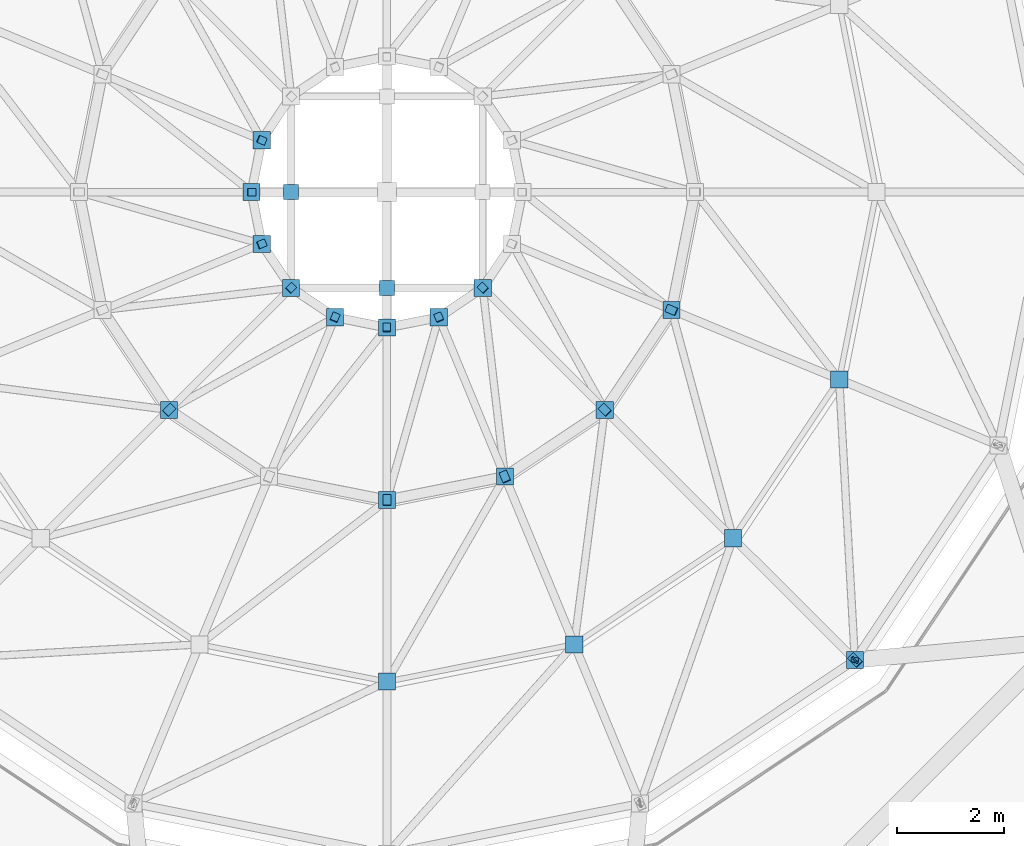
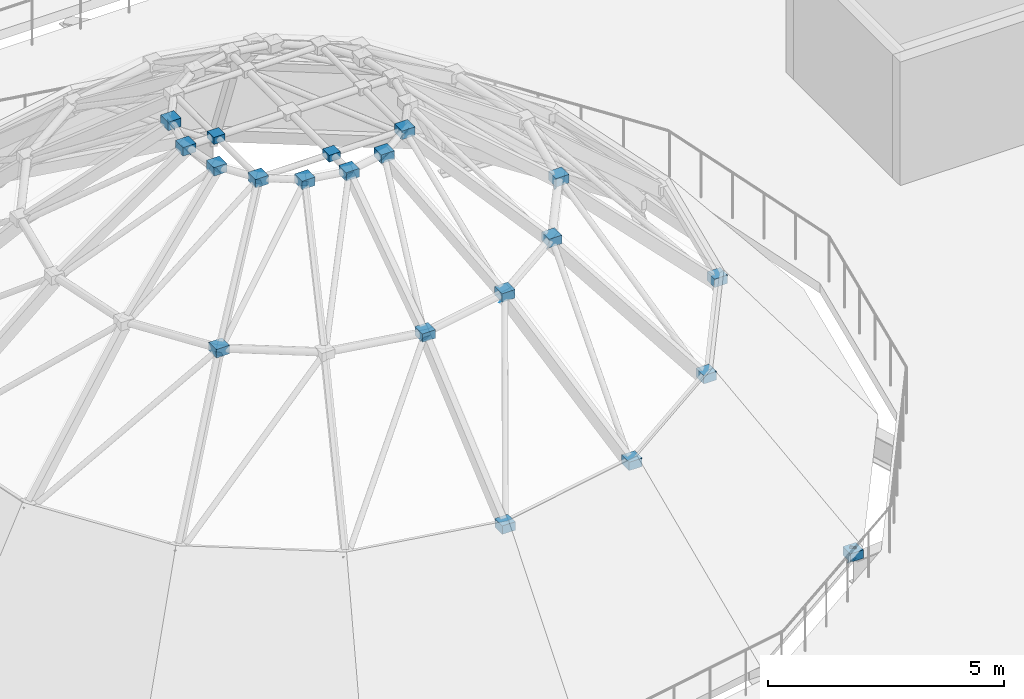
# One storey, part 28 of 40: 37 discrete accessories.
"""IFC4 building model written with IfcOpenShell, lengths in metres."""

from ifc_helpers import new_model, si_unit, direction, frame, origin, origin_2d, place, context, subcontext, project, spatial, rectangle, circle, extrude, material, type_object, element, save


model = new_model("IFC4")

# Units and contexts
model_context = context("Model", 3, precision=1e-05, world=origin(), true_north=direction((0.0, 1.0)))
body_context = subcontext(model_context, "Body", "Model", "MODEL_VIEW")
ifc_project = project(units=[si_unit("LENGTHUNIT", "METRE"), si_unit("AREAUNIT", "SQUARE_METRE"), si_unit("VOLUMEUNIT", "CUBIC_METRE"), si_unit("PLANEANGLEUNIT", "RADIAN"), si_unit("MASSUNIT", "GRAM", prefix="KILO"), si_unit("THERMODYNAMICTEMPERATUREUNIT", "KELVIN")], contexts=[model_context])

# Site, building, storey
site_placement = place(None, origin())
site = spatial("IfcSite", under=ifc_project, at=site_placement, CompositionType="ELEMENT")
building_placement = place(site_placement, origin())
building = spatial("IfcBuilding", under=site, at=building_placement, Name="Lustrewick Department Store", CompositionType="ELEMENT")
storey_placement = place(building_placement, frame((0.0, 0.0, 31.800048828125)))
storey = spatial("IfcBuildingStorey", under=building, at=storey_placement, Name="L07", CompositionType="ELEMENT", Elevation=31.800048828125)

# Discrete accessories
ifc_material = material(Name="Structural steel Q355C", Category="steel")
discrete_accessory_type_1 = type_object("IfcDiscreteAccessoryType", Name="GUS-NODE", PredefinedType="BRACKET", material=ifc_material)
for number, where, z_axis, x_axis, name in (
    (1, (27.60791015625, 67.199951171875, 8.9052734375), (0.0, 0.0, 1.0), (1.0, 0.0, 0.0), "V1 Dome Oculus X-Brace Crossing Gusset Node 2"),
    (2, (29.39990234375, 65.40771484375, 8.9052734375), (0.0, 0.0, 1.0), (1.0, 0.0, 0.0), "V1 Dome Oculus X-Brace Crossing Gusset Node 3"),
):
    element("IfcDiscreteAccessory", number, at=place(storey_placement, frame(where, z_axis=z_axis, x_axis=x_axis)), inside=storey, type_object=discrete_accessory_type_1, Name=name, PredefinedType="BRACKET", context=body_context, shape_type="SweptSolid", body=[
        extrude(rectangle(XDim=0.280029296875, YDim=0.280029296875, at=origin_2d()), origin(), (0.0, 0.0, 1.0), 0.179931640625),
    ])
for number, where, z_axis, x_axis, name in (
    (3, (38.15576171875, 58.4443359375, -0.28076171875), (0.0, 0.0, 1.0), (1.0, 0.0, 0.0), "V1 Dome Truss Ring 0 Node Gusset 15"),
    (4, (29.39990234375, 58.040283203125, 3.755859375), (0.0, 0.0, 1.0), (1.0, 0.0, 0.0), "V1 Dome Truss Ring 1 Node Gusset 13"),
    (5, (32.9052734375, 58.7373046875, 3.755859375), (0.0, 0.0, 1.0), (1.0, 0.0, 0.0), "V1 Dome Truss Ring 1 Node Gusset 14"),
    (6, (35.876953125, 60.722900390625, 3.755859375), (0.0, 0.0, 1.0), (1.0, 0.0, 0.0), "V1 Dome Truss Ring 1 Node Gusset 15"),
    (7, (37.862548828125, 63.694580078125, 3.755859375), (0.0, 0.0, 1.0), (1.0, 0.0, 0.0), "V1 Dome Truss Ring 1 Node Gusset 16"),
    (8, (25.32470703125, 63.124755859375, 6.66796875), (0.0, 0.0, 1.0), (1.0, 0.0, 0.0), "V1 Dome Truss Ring 2 Node Gusset 11"),
    (9, (29.39990234375, 61.4365234375, 6.66796875), (0.0, 0.0, 1.0), (1.0, 0.0, 0.0), "V1 Dome Truss Ring 2 Node Gusset 13"),
    (10, (31.605712890625, 61.875244140625, 6.66796875), (0.0, 0.0, 1.0), (1.0, 0.0, 0.0), "V1 Dome Truss Ring 2 Node Gusset 14"),
    (11, (33.475341796875, 63.124755859375, 6.66796875), (0.0, 0.0, 1.0), (1.0, 0.0, 0.0), "V1 Dome Truss Ring 2 Node Gusset 15"),
    (12, (34.724609375, 64.994384765625, 6.66796875), (0.0, 0.0, 1.0), (1.0, 0.0, 0.0), "V1 Dome Truss Ring 2 Node Gusset 16"),
    (13, (27.058349609375, 68.169921875, 8.88525390625), (0.0, 0.0, 1.0), (1.0, 0.0, 0.0), "V1 Dome Truss Ring 3 Node Gusset 08"),
    (14, (26.865478515625, 67.199951171875, 8.88525390625), (0.0, 0.0, 1.0), (1.0, 0.0, 0.0), "V1 Dome Truss Ring 3 Node Gusset 09"),
    (15, (27.058349609375, 66.22998046875, 8.88525390625), (0.0, 0.0, 1.0), (1.0, 0.0, 0.0), "V1 Dome Truss Ring 3 Node Gusset 10"),
    (16, (27.60791015625, 65.40771484375, 8.88525390625), (0.0, 0.0, 1.0), (1.0, 0.0, 0.0), "V1 Dome Truss Ring 3 Node Gusset 11"),
    (17, (28.43017578125, 64.8583984375, 8.88525390625), (0.0, 0.0, 1.0), (1.0, 0.0, 0.0), "V1 Dome Truss Ring 3 Node Gusset 12"),
    (18, (29.39990234375, 64.665283203125, 8.88525390625), (0.0, 0.0, 1.0), (1.0, 0.0, 0.0), "V1 Dome Truss Ring 3 Node Gusset 13"),
    (19, (30.369873046875, 64.8583984375, 8.88525390625), (0.0, 0.0, 1.0), (1.0, 0.0, 0.0), "V1 Dome Truss Ring 3 Node Gusset 14"),
    (20, (31.192138671875, 65.40771484375, 8.88525390625), (0.0, 0.0, 1.0), (1.0, 0.0, 0.0), "V1 Dome Truss Ring 3 Node Gusset 15"),
):
    element("IfcDiscreteAccessory", number, at=place(storey_placement, frame(where, z_axis=z_axis, x_axis=x_axis)), inside=storey, type_object=discrete_accessory_type_1, Name=name, PredefinedType="BRACKET", context=body_context, shape_type="SweptSolid", body=[
        extrude(rectangle(XDim=0.320068359375, YDim=0.320068359375, at=origin_2d()), origin(), (0.0, 0.0, 1.0), 0.219970703125),
    ])
discrete_accessory_type_2 = type_object("IfcDiscreteAccessoryType", Name="ECP-01", PredefinedType="USERDEFINED", material=ifc_material)
for number, where, z_axis, x_axis, name in (
    (21, (31.607421875, 61.87109375, 6.62353515625), (-0.291046406414, 0.702779982677, 0.649147352503), (-0.923904905479, -0.382622170858, 0.0), "L07 Welded Hollow-Section End-Cap Plate ECP-01"),
    (22, (29.39990234375, 61.431884765625, 6.62353515625), (0.0, 0.760656585404, 0.649154495542), (-1.0, 0.0, 0.0), "L07 Welded Hollow-Section End-Cap Plate ECP-01"),
):
    element("IfcDiscreteAccessory", number, at=place(storey_placement, frame(where, z_axis=z_axis, x_axis=x_axis)), inside=storey, type_object=discrete_accessory_type_2, Name=name, ObjectType="END_CAP_PLATE", PredefinedType="USERDEFINED", context=body_context, shape_type="SweptSolid", body=[
        extrude(rectangle(XDim=0.14990234375, YDim=0.300048828125, at=origin_2d()), origin(), (0.0, 0.0, 1.0), 0.01611328125),
    ])
discrete_accessory_1_placement = place(storey_placement, frame((27.0537109375, 66.22802734375, 8.893798828125), z_axis=(0.760678120643, 0.315106762038, 0.567517863413), x_axis=(-0.382707864322, 0.923869412085, 0.0)))
element("IfcDiscreteAccessory", 23, at=discrete_accessory_1_placement, inside=storey, type_object=discrete_accessory_type_2, Name="L07 Welded Hollow-Section End-Cap Plate ECP-01", ObjectType="END_CAP_PLATE", PredefinedType="USERDEFINED", context=body_context, shape_type="SweptSolid", body=[
    extrude(rectangle(XDim=0.139892578125, YDim=0.260009765625, at=origin_2d()), origin(), (0.0, 0.0, 1.0), 0.01611328125),
])
for number, where, z_axis, x_axis, name in (
    (24, (25.321533203125, 63.12158203125, 6.62353515625), (0.537852469504, 0.537907475893, 0.649130394009), (-0.707142936461, 0.707070624063, 0.0), "L07 Welded Hollow-Section End-Cap Plate ECP-01"),
    (25, (33.478515625, 63.12158203125, 6.62353515625), (-0.537852469504, 0.537907475893, 0.649130394009), (-0.707142936461, -0.707070624063, 0.0), "L07 Welded Hollow-Section End-Cap Plate ECP-01"),
):
    element("IfcDiscreteAccessory", number, at=place(storey_placement, frame(where, z_axis=z_axis, x_axis=x_axis)), inside=storey, type_object=discrete_accessory_type_2, Name=name, ObjectType="END_CAP_PLATE", PredefinedType="USERDEFINED", context=body_context, shape_type="SweptSolid", body=[
        extrude(rectangle(XDim=0.14990234375, YDim=0.300048828125, at=origin_2d()), origin(), (0.0, 0.0, 1.0), 0.01611328125),
    ])
for number, where, z_axis, x_axis, name in (
    (26, (30.371826171875, 64.853759765625, 8.893798828125), (-0.315106762038, 0.760678120643, 0.567517863413), (-0.923869412085, -0.382707864322, 0.0), "L07 Welded Hollow-Section End-Cap Plate ECP-01"),
    (27, (29.39990234375, 64.66015625, 8.893798828125), (0.0, 0.82334499991, 0.567541197732), (-1.0, 0.0, 0.0), "L07 Welded Hollow-Section End-Cap Plate ECP-01"),
    (28, (27.0537109375, 68.171875, 8.893798828125), (0.760678120643, -0.315106762038, 0.567517863413), (0.382707864322, 0.923869412085, 0.0), "L07 Welded Hollow-Section End-Cap Plate ECP-01"),
):
    element("IfcDiscreteAccessory", number, at=place(storey_placement, frame(where, z_axis=z_axis, x_axis=x_axis)), inside=storey, type_object=discrete_accessory_type_2, Name=name, ObjectType="END_CAP_PLATE", PredefinedType="USERDEFINED", context=body_context, shape_type="SweptSolid", body=[
        extrude(rectangle(XDim=0.139892578125, YDim=0.260009765625, at=origin_2d()), origin(), (0.0, 0.0, 1.0), 0.01611328125),
    ])
discrete_accessory_2_placement = place(storey_placement, frame((38.155517578125, 58.448974609375, -0.347900390625), z_axis=(0.043578994936, -0.78032163705, -0.623858168138), x_axis=(-0.998444168104, -0.055760588044, 0.0)))
element("IfcDiscreteAccessory", 29, at=discrete_accessory_2_placement, inside=storey, type_object=discrete_accessory_type_2, Name="L07 Welded Hollow-Section End-Cap Plate ECP-01", ObjectType="END_CAP_PLATE", PredefinedType="USERDEFINED", context=body_context, shape_type="SweptSolid", body=[
    extrude(circle(Radius=0.070068359375, at=origin_2d()), origin(), (0.0, 0.0, 1.0), 0.01611328125),
])
for number, where, z_axis, x_axis, name in (
    (30, (38.1591796875, 58.44921875, -0.170654296875), (-0.55556285078, -0.83147454491, 0.0), (-0.83147454491, 0.55556285078, 0.0), "L07 Welded Hollow-Section End-Cap Plate ECP-01"),
    (31, (38.150634765625, 58.44091796875, -0.170654296875), (0.831451201673, 0.555597785486, 0.0), (-0.555597785486, 0.831451201673, 0.0), "L07 Welded Hollow-Section End-Cap Plate ECP-01"),
):
    element("IfcDiscreteAccessory", number, at=place(storey_placement, frame(where, z_axis=z_axis, x_axis=x_axis)), inside=storey, type_object=discrete_accessory_type_2, Name=name, ObjectType="END_CAP_PLATE", PredefinedType="USERDEFINED", context=body_context, shape_type="SweptSolid", body=[
        extrude(rectangle(XDim=0.14990234375, YDim=0.300048828125, at=origin_2d()), origin(), (0.0, 0.0, 1.0), 0.01611328125),
    ])
discrete_accessory_3_placement = place(storey_placement, frame((28.42822265625, 64.853759765625, 8.893798828125), z_axis=(0.315106762038, 0.760678120643, 0.567517863413), x_axis=(-0.923869412085, 0.382707864322, 0.0)))
element("IfcDiscreteAccessory", 32, at=discrete_accessory_3_placement, inside=storey, type_object=discrete_accessory_type_2, Name="L07 Welded Hollow-Section End-Cap Plate ECP-01", ObjectType="END_CAP_PLATE", PredefinedType="USERDEFINED", context=body_context, shape_type="SweptSolid", body=[
    extrude(rectangle(XDim=0.139892578125, YDim=0.260009765625, at=origin_2d()), origin(), (0.0, 0.0, 1.0), 0.01611328125),
])
for number, where, z_axis, x_axis, name in (
    (33, (38.153076171875, 58.447021484375, -0.322021484375), (0.443459475704, -0.443411965583, -0.778928444844), (-0.707068900128, -0.707144660216, 0.0), "L07 Welded Hollow-Section End-Cap Plate ECP-01"),
    (34, (34.728759765625, 64.99267578125, 6.62353515625), (-0.702768730496, 0.291096753427, 0.649136959032), (-0.382683896966, -0.923879340067, 0.0), "L07 Welded Hollow-Section End-Cap Plate ECP-01"),
):
    element("IfcDiscreteAccessory", number, at=place(storey_placement, frame(where, z_axis=z_axis, x_axis=x_axis)), inside=storey, type_object=discrete_accessory_type_2, Name=name, ObjectType="END_CAP_PLATE", PredefinedType="USERDEFINED", context=body_context, shape_type="SweptSolid", body=[
        extrude(rectangle(XDim=0.14990234375, YDim=0.300048828125, at=origin_2d()), origin(), (0.0, 0.0, 1.0), 0.01611328125),
    ])
for number, where, z_axis, x_axis, name in (
    (35, (31.195556640625, 65.404296875, 8.893798828125), (-0.582235876881, 0.582173243934, 0.567517134296), (-0.707068745266, -0.707144815061, 0.0), "L07 Welded Hollow-Section End-Cap Plate ECP-01"),
    (36, (26.860595703125, 67.199951171875, 8.893798828125), (0.823365173466, 0.0, 0.56751193038), (0.0, 1.0, 0.0), "L07 Welded Hollow-Section End-Cap Plate ECP-01"),
    (37, (27.6044921875, 65.404296875, 8.893798828125), (0.582235876881, 0.582173243934, 0.567517134296), (-0.707068745266, 0.707144815061, 0.0), "L07 Welded Hollow-Section End-Cap Plate ECP-01"),
):
    element("IfcDiscreteAccessory", number, at=place(storey_placement, frame(where, z_axis=z_axis, x_axis=x_axis)), inside=storey, type_object=discrete_accessory_type_2, Name=name, ObjectType="END_CAP_PLATE", PredefinedType="USERDEFINED", context=body_context, shape_type="SweptSolid", body=[
        extrude(rectangle(XDim=0.139892578125, YDim=0.260009765625, at=origin_2d()), origin(), (0.0, 0.0, 1.0), 0.01611328125),
    ])

save(model, "model.ifc")
